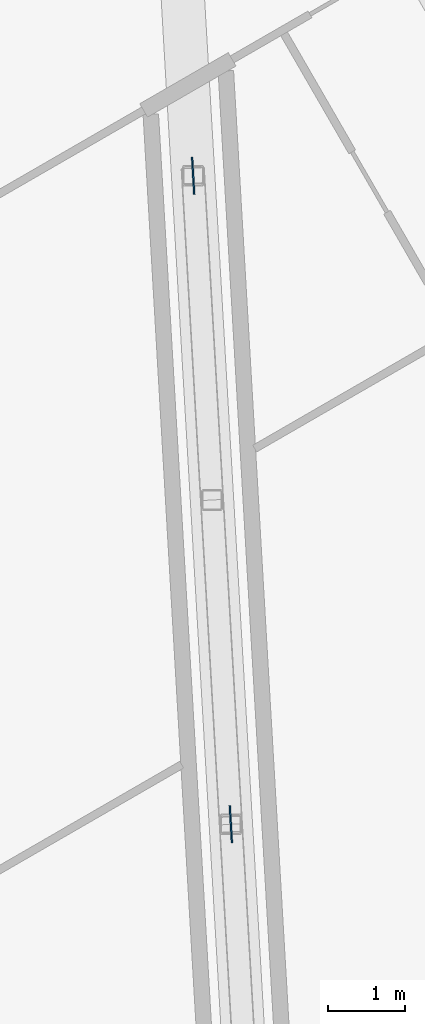
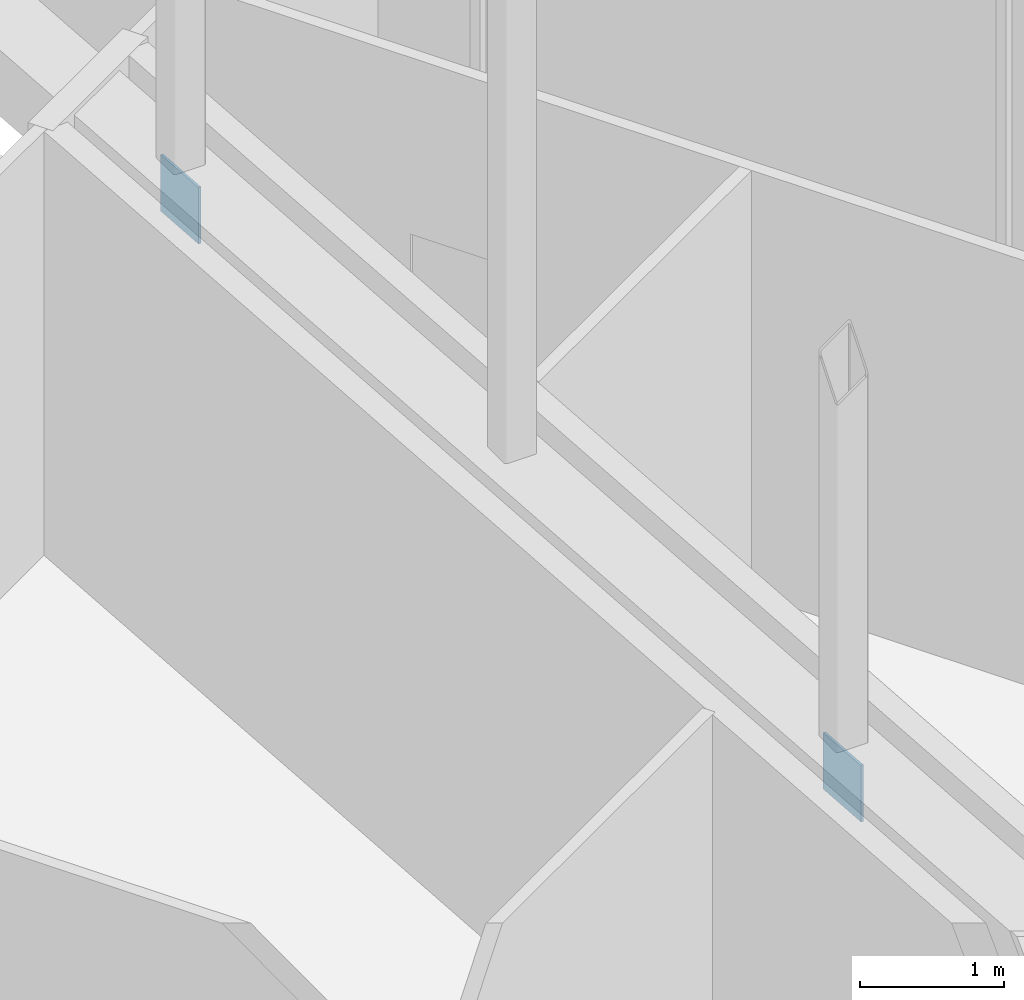
# One storey, part 24 of 29: 2 discrete accessories.
"""IFC4 building model written with IfcOpenShell, lengths in metres."""

from ifc_helpers import new_model, si_unit, direction, frame, origin, origin_2d, place, context, subcontext, project, spatial, rectangle, extrude, material, layer, layer_set, type_object, element, save


model = new_model("IFC4")

# Units and contexts
model_context = context("Model", 3, precision=1e-05, world=origin(), true_north=direction((0.0, 1.0)))
body_context = subcontext(model_context, "Body", "Model", "MODEL_VIEW")
ifc_project = project(units=[si_unit("LENGTHUNIT", "METRE"), si_unit("AREAUNIT", "SQUARE_METRE"), si_unit("VOLUMEUNIT", "CUBIC_METRE"), si_unit("PLANEANGLEUNIT", "RADIAN"), si_unit("MASSUNIT", "GRAM", prefix="KILO")], contexts=[model_context])

# Site, building, storey
site_placement = place(None, origin())
site = spatial("IfcSite", under=ifc_project, at=site_placement, CompositionType="ELEMENT")
building_placement = place(site_placement, origin())
building = spatial("IfcBuilding", under=site, at=building_placement, Name="Ayvan Gate Tower", CompositionType="ELEMENT")
storey_placement = place(building_placement, frame((0.0, 0.0, 186.699951171875)))
storey = spatial("IfcBuildingStorey", under=building, at=storey_placement, Name="L50", CompositionType="ELEMENT", Elevation=186.699951171875)

# Discrete accessories
ifc_material = material(Name="Steel S460ML", Category="steel")
ifc_layer = layer(ifc_material, 0.02001953125)
ifc_layer_set = layer_set([ifc_layer], Name="Steel S460ML")
discrete_accessory_type = type_object("IfcDiscreteAccessoryType", Name="Gusset plate 20 mm", PredefinedType="BRACKET", material=ifc_layer_set)
for number, where, z_axis, x_axis, name in (
    (1, (0.578125, 25.898681640625, 3.03515625), (0.0, 0.0, 1.0), (-0.058020538941, 0.998315389574, 0.0), "Gusset plate SBT4-1-D-4"),
    (2, (0.09130859375, 34.275146484375, 3.03515625), (0.0, 0.0, 1.0), (-0.058020538941, 0.998315389574, 0.0), "Gusset plate SBT4-1-D-6"),
):
    element("IfcDiscreteAccessory", number, at=place(storey_placement, frame(where, z_axis=z_axis, x_axis=x_axis)), inside=storey, type_object=discrete_accessory_type, Name=name, PredefinedType="BRACKET", context=body_context, shape_type="SweptSolid", body=[
        extrude(rectangle(XDim=0.47998046875, YDim=0.02001953125, at=origin_2d()), origin(), (0.0, 0.0, 1.0), 0.47998046875),
    ])

save(model, "model.ifc")
